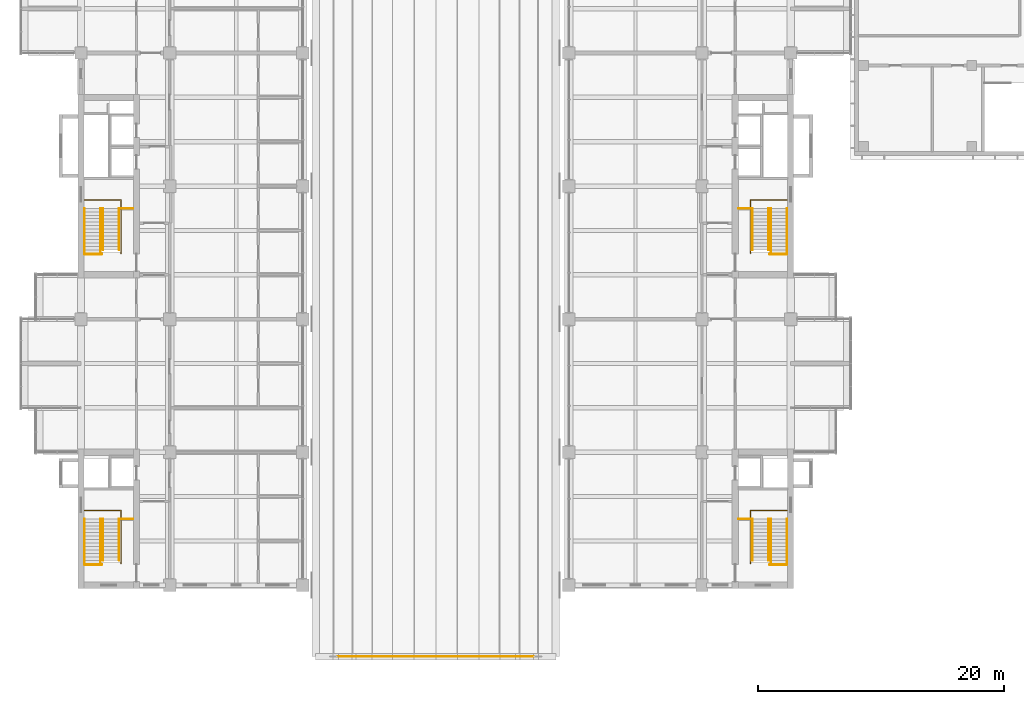
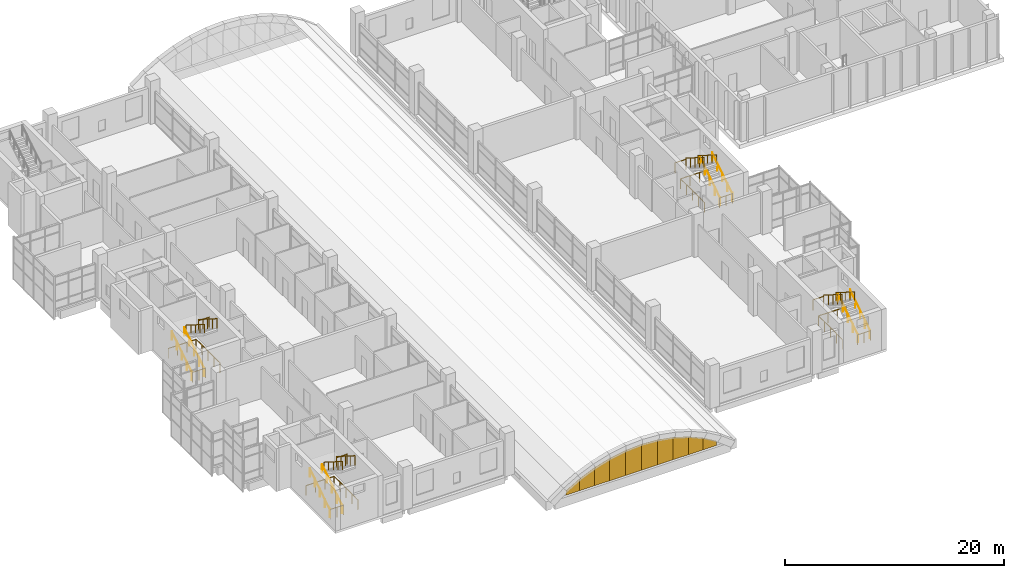
# One storey, part 40 of 45: 28 railings, 10 coverings.
"""IFC4 building model written with IfcOpenShell, lengths in metres."""

import ifcopenshell
import ifcopenshell.guid

model = None  # the IFC model being written
_history = None  # IfcOwnerHistory: only IFC2X3 demands one
_inside = {}  # id of a spatial element -> (the spatial element, [elements in it])
_under = {}  # id of a project, library or spatial element -> (it, [spatial elements below it])
_declared = {}  # id of a project -> (the project, [libraries it declares])
_typed = {}  # id of a type object -> (the type object, [elements of that type])
_made_of = {}  # id of a material, layer set ... -> (it, [elements and type objects made of it])


def new_model(schema):
    """Start an empty IFC model of exactly this schema.

    Asked for "IFC4X3", IfcOpenShell would pick the latest addendum, in which some entities
    have other attributes; the version numbers below select the first issue.
    IFC2X3 requires an IfcOwnerHistory on every rooted entity: one is made here for all.
    """
    global model, _history
    if schema == "IFC4X3":
        model = ifcopenshell.file(schema_version=(4, 3, 0, 0))
    else:
        model = ifcopenshell.file(schema=schema)
    _inside.clear()
    _under.clear()
    _declared.clear()
    _typed.clear()
    _made_of.clear()
    _history = None
    if model.schema == "IFC2X3":
        org = make("IfcOrganization", Name="unknown")
        user = make(
            "IfcPersonAndOrganization",
            ThePerson=make("IfcPerson", FamilyName="unknown"),
            TheOrganization=org,
        )
        app = make(
            "IfcApplication",
            ApplicationDeveloper=org,
            Version="unknown",
            ApplicationFullName="unknown",
            ApplicationIdentifier="unknown",
        )
        _history = make(
            "IfcOwnerHistory",
            OwningUser=user,
            OwningApplication=app,
            ChangeAction="ADDED",
            CreationDate=0,
        )
    return model


def make(cls, **values):
    """One entity of the class cls with the attributes given. An attribute that is None is left unset."""
    return model.create_entity(
        cls, **{name: value for name, value in values.items() if value is not None}
    )


def rooted(cls, **values):
    """An entity with a GlobalId (a new one), such as an element, a storey or a relation."""
    return make(cls, GlobalId=ifcopenshell.guid.new(), OwnerHistory=_history, **values)


def si_unit(unit_type, name, prefix=None):
    """IfcSIUnit, for example si_unit("LENGTHUNIT", "METRE", prefix="MILLI")."""
    return make("IfcSIUnit", UnitType=unit_type, Prefix=prefix, Name=name)


def assignment(units):
    """IfcUnitAssignment: the units of a project."""
    return None if units is None else make("IfcUnitAssignment", Units=units)


def point(xyz):
    """IfcCartesianPoint."""
    return None if xyz is None else make("IfcCartesianPoint", Coordinates=xyz)


def direction(xyz):
    """IfcDirection."""
    return None if xyz is None else make("IfcDirection", DirectionRatios=xyz)


def frame(location, z_axis=None, x_axis=None):
    """IfcAxis2Placement3D, a coordinate frame: its origin and axes. An axis left out is left unset."""
    return make(
        "IfcAxis2Placement3D",
        Location=point(location),
        Axis=direction(z_axis),
        RefDirection=direction(x_axis),
    )


def frame_2d(location, x_axis=None):
    """IfcAxis2Placement2D, a coordinate frame in the plane: its origin and x axis."""
    return make(
        "IfcAxis2Placement2D", Location=point(location), RefDirection=direction(x_axis)
    )


def origin():
    """The frame at (0, 0, 0) with its axes left unset."""
    return frame((0.0, 0.0, 0.0))


def origin_2d():
    """The frame at (0, 0) in the plane with its x axis left unset."""
    return frame_2d((0.0, 0.0))


def place(relative_to, where):
    """IfcLocalPlacement: puts the frame where relative to a parent placement (None: the world)."""
    return make(
        "IfcLocalPlacement", PlacementRelTo=relative_to, RelativePlacement=where
    )


def context(
    kind, dimensions, precision=None, world=None, true_north=None, identifier=None
):
    """IfcGeometricRepresentationContext, for example the 3D "Model" context."""
    return make(
        "IfcGeometricRepresentationContext",
        ContextIdentifier=identifier,
        ContextType=kind,
        CoordinateSpaceDimension=dimensions,
        Precision=precision,
        WorldCoordinateSystem=world,
        TrueNorth=true_north,
    )


def subcontext(parent, identifier, kind, view, scale=None):
    """IfcGeometricRepresentationSubContext, for example "Body" below "Model"."""
    return make(
        "IfcGeometricRepresentationSubContext",
        ContextIdentifier=identifier,
        ContextType=kind,
        ParentContext=parent,
        TargetScale=scale,
        TargetView=view,
    )


def project(units=None, contexts=None):
    """IfcProject with its units and contexts."""
    return rooted(
        "IfcProject",
        Name="project",
        RepresentationContexts=contexts,
        UnitsInContext=assignment(units),
    )


def spatial(cls, under=None, at=None, **own):
    """A site, building, storey or space (cls), placed at a placement, below another one or the project."""
    s = rooted(cls, ObjectPlacement=at, **own)
    if under is not None:
        _under.setdefault(under.id(), (under, []))[1].append(s)
    return s


def polyline(points):
    """IfcPolyline through the points."""
    return make("IfcPolyline", Points=[point(p) for p in points])


def profile(cls, at=None, kind="AREA", **sizes):
    """A parametric profile (cls). Its sizes go by their IFC names, for example OverallWidth=200.0."""
    return make(cls, ProfileType=kind, Position=at, **sizes)


def circle(**sizes):
    """IfcCircleProfileDef."""
    return profile("IfcCircleProfileDef", **sizes)


def outline(outer, holes=None, kind="AREA"):
    """IfcArbitraryClosedProfileDef: a profile drawn as a closed curve; with holes, ...WithVoids."""
    if holes is None:
        return make("IfcArbitraryClosedProfileDef", ProfileType=kind, OuterCurve=outer)
    return make(
        "IfcArbitraryProfileDefWithVoids",
        ProfileType=kind,
        OuterCurve=outer,
        InnerCurves=holes,
    )


def extrude(swept, where, along, depth):
    """IfcExtrudedAreaSolid: the profile swept, set in the frame where, extruded along a direction by depth."""
    return make(
        "IfcExtrudedAreaSolid",
        SweptArea=swept,
        Position=where,
        ExtrudedDirection=direction(along),
        Depth=depth,
    )


def shape(context_of_items, identifier, shape_type, items):
    """IfcShapeRepresentation: the items that make up one representation, for example the "Body"."""
    return make(
        "IfcShapeRepresentation",
        ContextOfItems=context_of_items,
        RepresentationIdentifier=identifier,
        RepresentationType=shape_type,
        Items=items,
    )


def material(Name=None, Category=None):
    """IfcMaterial."""
    return make("IfcMaterial", Name=Name, Category=Category)


def layer(
    of_material, thickness, ventilated=None, Name=None, Category=None, Priority=None
):
    """IfcMaterialLayer: one layer of a wall or slab, of a material (None: an air gap)."""
    return make(
        "IfcMaterialLayer",
        Material=of_material,
        LayerThickness=thickness,
        IsVentilated=ventilated,
        Name=Name,
        Category=Category,
        Priority=Priority,
    )


def layer_set(layers, Name=None):
    """IfcMaterialLayerSet."""
    return make("IfcMaterialLayerSet", MaterialLayers=layers, LayerSetName=Name)


def made_of(thing, what):
    """Note that an element or type object is made of a material, layer set ...; save() writes the relation."""
    if what is not None:
        _made_of.setdefault(what.id(), (what, []))[1].append(thing)
    return thing


def type_object(cls, material=None, **own):
    """A type object (cls), such as IfcWallType, which elements share."""
    return made_of(rooted(cls, **own), material)


def element(
    cls,
    number,
    at=None,
    inside=None,
    cuts=None,
    type_object=None,
    material=None,
    context=None,
    identifier="Body",
    shape_type=None,
    held_by="IfcProductDefinitionShape",
    body=None,
    shapes=None,
    **own,
):
    """One element of the class cls, such as IfcWall. Its Tag is "e" and its number.

    at: its placement. inside: the storey or other place that contains it. cuts: it is an
    opening in that element (IfcRelVoidsElement). A single representation is given by context,
    identifier, shape_type and body (its items); several are given by shapes. held_by: the class
    of the entity that holds the representations. save() writes the other relations.
    """
    e = rooted(cls, Tag="e%d" % number, ObjectPlacement=at, **own)
    if body is not None:
        shapes = [shape(context, identifier, shape_type, body)]
    if shapes is not None:
        e.Representation = make(held_by, Representations=shapes)
    if inside is not None:
        _inside.setdefault(inside.id(), (inside, []))[1].append(e)
    if cuts is not None:
        rooted(
            "IfcRelVoidsElement", RelatingBuildingElement=cuts, RelatedOpeningElement=e
        )
    if type_object is not None:
        _typed.setdefault(type_object.id(), (type_object, []))[1].append(e)
    return made_of(e, material)


def aggregate(whole, parts):
    """IfcRelAggregates: a whole, such as a stair, and the parts it consists of."""
    return rooted("IfcRelAggregates", RelatingObject=whole, RelatedObjects=parts)


def save(model, path):
    """Write the relations noted so far, then the file.

    IfcRelAggregates (storeys below a building ...), IfcRelContainedInSpatialStructure (elements
    in a storey), IfcRelDefinesByType, IfcRelAssociatesMaterial and IfcRelDeclares: one each for
    every whole, place, type object, material and project.
    """
    for whole, parts in _under.values():
        aggregate(whole, parts)
    for where, things in _inside.values():
        rooted(
            "IfcRelContainedInSpatialStructure",
            RelatedElements=things,
            RelatingStructure=where,
        )
    for kind, things in _typed.values():
        rooted("IfcRelDefinesByType", RelatedObjects=things, RelatingType=kind)
    for what, things in _made_of.values():
        rooted("IfcRelAssociatesMaterial", RelatedObjects=things, RelatingMaterial=what)
    for by, libraries in _declared.values():
        rooted("IfcRelDeclares", RelatingContext=by, RelatedDefinitions=libraries)
    model.write(path)


model = new_model("IFC4")

# Units and contexts
model_context = context("Model", 3, precision=1e-05, world=origin(), true_north=direction((0.0, 1.0)))
body_context = subcontext(model_context, "Body", "Model", "MODEL_VIEW")
ifc_project = project(units=[si_unit("LENGTHUNIT", "METRE"), si_unit("AREAUNIT", "SQUARE_METRE"), si_unit("VOLUMEUNIT", "CUBIC_METRE"), si_unit("PLANEANGLEUNIT", "RADIAN"), si_unit("MASSUNIT", "GRAM", prefix="KILO")], contexts=[model_context])

# Site, building, storey
site_placement = place(None, origin())
site = spatial("IfcSite", under=ifc_project, at=site_placement, CompositionType="ELEMENT")
building_placement = place(site_placement, origin())
building = spatial("IfcBuilding", under=site, at=building_placement, Name="Basin Gate Institute", CompositionType="ELEMENT")
storey_placement = place(building_placement, frame((0.0, 0.0, 22.199951171875)))
storey = spatial("IfcBuildingStorey", under=building, at=storey_placement, Name="L04", CompositionType="ELEMENT", Elevation=22.199951171875)

# Coverings
ifc_material_1 = material(Name="Laminated toughened glass", Category="glass")
ifc_layer = layer(ifc_material_1, 0.030029296875)
ifc_layer_set = layer_set([ifc_layer], Name="Atrium tympanum glazing PN88")
covering_type = type_object("IfcCoveringType", Name="Atrium tympanum glazing PN88", PredefinedType="ROOFING", material=ifc_layer_set)
covering_1_placement = place(storey_placement, frame((82.048828125, 29.300048828125, 0.0), z_axis=(0.0, -1.0, 0.0), x_axis=(1.0, 0.0, 0.0)))
element("IfcCovering", 1, at=covering_1_placement, inside=storey, type_object=covering_type, material=ifc_layer_set, Name="Atrium tympanum glazing S 2", PredefinedType="ROOFING", context=body_context, shape_type="SweptSolid", body=[
    extrude(outline(polyline([(0.0, 0.0), (1.45361328125, 0.0), (1.45361328125, 1.33740234375), (0.0, 0.485107421875), (0.0, 0.0)])), origin(), (0.0, 0.0, -1.0), 0.030029296875),
])
covering_2_placement = place(storey_placement, frame((83.50244140625, 29.300048828125, 0.0), z_axis=(0.0, -1.0, 0.0), x_axis=(1.0, 0.0, 0.0)))
element("IfcCovering", 2, at=covering_2_placement, inside=storey, type_object=covering_type, material=ifc_layer_set, Name="Atrium tympanum glazing S 3", PredefinedType="ROOFING", context=body_context, shape_type="SweptSolid", body=[
    extrude(outline(polyline([(0.0, 0.0), (1.54345703125, 0.0), (1.54345703125, 2.01318359375), (0.0, 1.33740234375), (0.0, 0.0)])), origin(), (0.0, 0.0, -1.0), 0.030029296875),
])
covering_3_placement = place(storey_placement, frame((85.0458984375, 29.300048828125, 0.0), z_axis=(0.0, -1.0, 0.0), x_axis=(1.0, 0.0, 0.0)))
element("IfcCovering", 3, at=covering_3_placement, inside=storey, type_object=covering_type, material=ifc_layer_set, Name="Atrium tympanum glazing S 4", PredefinedType="ROOFING", context=body_context, shape_type="SweptSolid", body=[
    extrude(outline(polyline([(0.0, 0.0), (1.613037109375, 0.0), (1.613037109375, 2.503173828125), (0.0, 2.01318359375), (0.0, 0.0)])), origin(), (0.0, 0.0, -1.0), 0.030029296875),
])
covering_4_placement = place(storey_placement, frame((86.658935546875, 29.300048828125, 0.0), z_axis=(0.0, -1.0, 0.0), x_axis=(1.0, 0.0, 0.0)))
element("IfcCovering", 4, at=covering_4_placement, inside=storey, type_object=covering_type, material=ifc_layer_set, Name="Atrium tympanum glazing S 5", PredefinedType="ROOFING", context=body_context, shape_type="SweptSolid", body=[
    extrude(outline(polyline([(0.0, 0.0), (1.658447265625, 0.0), (1.658447265625, 2.7998046875), (0.0, 2.503173828125), (0.0, 0.0)])), origin(), (0.0, 0.0, -1.0), 0.030029296875),
])
covering_5_placement = place(storey_placement, frame((88.3173828125, 29.300048828125, 0.0), z_axis=(0.0, -1.0, 0.0), x_axis=(1.0, 0.0, 0.0)))
element("IfcCovering", 5, at=covering_5_placement, inside=storey, type_object=covering_type, material=ifc_layer_set, Name="Atrium tympanum glazing S 6", PredefinedType="ROOFING", context=body_context, shape_type="SweptSolid", body=[
    extrude(outline(polyline([(0.0, 0.0), (1.6826171875, 0.0), (1.6826171875, 2.89892578125), (0.0, 2.7998046875), (0.0, 0.0)])), origin(), (0.0, 0.0, -1.0), 0.030029296875),
])
covering_6_placement = place(storey_placement, frame((90.0, 29.300048828125, 0.0), z_axis=(0.0, -1.0, 0.0), x_axis=(1.0, 0.0, 0.0)))
element("IfcCovering", 6, at=covering_6_placement, inside=storey, type_object=covering_type, material=ifc_layer_set, Name="Atrium tympanum glazing S 7", PredefinedType="ROOFING", context=body_context, shape_type="SweptSolid", body=[
    extrude(outline(polyline([(0.0, 0.0), (1.6826171875, 0.0), (1.6826171875, 2.7998046875), (0.0, 2.89892578125), (0.0, 0.0)])), origin(), (0.0, 0.0, -1.0), 0.030029296875),
])
covering_7_placement = place(storey_placement, frame((91.6826171875, 29.300048828125, 0.0), z_axis=(0.0, -1.0, 0.0), x_axis=(1.0, 0.0, 0.0)))
element("IfcCovering", 7, at=covering_7_placement, inside=storey, type_object=covering_type, material=ifc_layer_set, Name="Atrium tympanum glazing S 8", PredefinedType="ROOFING", context=body_context, shape_type="SweptSolid", body=[
    extrude(outline(polyline([(0.0, 0.0), (1.658447265625, 0.0), (1.658447265625, 2.503173828125), (0.0, 2.7998046875), (0.0, 0.0)])), origin(), (0.0, 0.0, -1.0), 0.030029296875),
])
covering_8_placement = place(storey_placement, frame((93.341064453125, 29.300048828125, 0.0), z_axis=(0.0, -1.0, 0.0), x_axis=(1.0, 0.0, 0.0)))
element("IfcCovering", 8, at=covering_8_placement, inside=storey, type_object=covering_type, material=ifc_layer_set, Name="Atrium tympanum glazing S 9", PredefinedType="ROOFING", context=body_context, shape_type="SweptSolid", body=[
    extrude(outline(polyline([(0.0, 0.0), (1.613037109375, 0.0), (1.613037109375, 2.01318359375), (0.0, 2.503173828125), (0.0, 0.0)])), origin(), (0.0, 0.0, -1.0), 0.030029296875),
])
covering_9_placement = place(storey_placement, frame((94.9541015625, 29.300048828125, 0.0), z_axis=(0.0, -1.0, 0.0), x_axis=(1.0, 0.0, 0.0)))
element("IfcCovering", 9, at=covering_9_placement, inside=storey, type_object=covering_type, material=ifc_layer_set, Name="Atrium tympanum glazing S 10", PredefinedType="ROOFING", context=body_context, shape_type="SweptSolid", body=[
    extrude(outline(polyline([(0.0, 0.0), (1.54345703125, 0.0), (1.54345703125, 1.33740234375), (0.0, 2.01318359375), (0.0, 0.0)])), origin(), (0.0, 0.0, -1.0), 0.030029296875),
])
covering_10_placement = place(storey_placement, frame((96.49755859375, 29.300048828125, 0.0), z_axis=(0.0, -1.0, 0.0), x_axis=(1.0, 0.0, 0.0)))
element("IfcCovering", 10, at=covering_10_placement, inside=storey, type_object=covering_type, material=ifc_layer_set, Name="Atrium tympanum glazing S 11", PredefinedType="ROOFING", context=body_context, shape_type="SweptSolid", body=[
    extrude(outline(polyline([(0.0, 0.0), (1.45361328125, 0.0), (1.45361328125, 0.485107421875), (0.0, 1.33740234375), (0.0, 0.0)])), origin(), (0.0, 0.0, -1.0), 0.030029296875),
])

# Railings
ifc_material_2 = material(Name="Stainless steel", Category="steel")
railing_type_1 = type_object("IfcRailingType", Name="Stair guard GR1", PredefinedType="GUARDRAIL", material=ifc_material_2)
railing_1_placement = place(storey_placement, frame((64.449951171875, 36.85009765625, 0.0)))
element("IfcRailing", 11, at=railing_1_placement, inside=storey, type_object=railing_type_1, material=ifc_material_2, Name="Stair guard GR1 WS GD3-L03", PredefinedType="GUARDRAIL", context=body_context, shape_type="SweptSolid", body=[
    extrude(circle(Radius=0.02392578125, at=origin_2d()), frame((0.0, 0.0, 1.076171875), z_axis=(0.0, 1.0, 0.0), x_axis=(-1.0, 0.0, 0.0)), (0.0, 0.0, 1.0), 4.31982421875),
    extrude(circle(Radius=0.02392578125, at=origin_2d()), frame((0.0, 4.31982421875, 1.076171875), z_axis=(-1.0, 0.0, 0.0), x_axis=(0.0, -1.0, 0.0)), (0.0, 0.0, 1.0), 2.949951171875),
    extrude(circle(Radius=0.02099609375, at=origin_2d()), origin(), (0.0, 0.0, 1.0), 1.052001953125),
    extrude(circle(Radius=0.02099609375, at=origin_2d()), frame((0.0, 1.080078125, 0.0)), (0.0, 0.0, 1.0), 1.052001953125),
    extrude(circle(Radius=0.02099609375, at=origin_2d()), frame((0.0, 2.159912109375, 0.0)), (0.0, 0.0, 1.0), 1.052001953125),
    extrude(circle(Radius=0.02099609375, at=origin_2d()), frame((0.0, 3.23974609375, 0.0)), (0.0, 0.0, 1.0), 1.052001953125),
    extrude(circle(Radius=0.02099609375, at=origin_2d()), frame((0.0, 4.31982421875, 0.0)), (0.0, 0.0, 1.0), 1.052001953125),
    extrude(circle(Radius=0.02099609375, at=origin_2d()), frame((-0.9833984375, 4.31982421875, 0.0)), (0.0, 0.0, 1.0), 1.052001953125),
    extrude(circle(Radius=0.02099609375, at=origin_2d()), frame((-1.966552734375, 4.31982421875, 0.0)), (0.0, 0.0, 1.0), 1.052001953125),
    extrude(circle(Radius=0.02099609375, at=origin_2d()), frame((-2.949951171875, 4.31982421875, 0.0)), (0.0, 0.0, 1.0), 1.052001953125),
])
railing_2_placement = place(storey_placement, frame((61.5, 36.77001953125, 0.0)))
element("IfcRailing", 12, at=railing_2_placement, inside=storey, type_object=railing_type_1, material=ifc_material_2, Name="Stair guard GR1 WS GD4-L03", PredefinedType="GUARDRAIL", context=body_context, shape_type="SweptSolid", body=[
    extrude(circle(Radius=0.02392578125, at=origin_2d()), frame((0.0, 0.0, 1.076171875), z_axis=(1.0, 0.0, 0.0), x_axis=(0.0, 1.0, 0.0)), (0.0, 0.0, 1.0), 1.39990234375),
    extrude(circle(Radius=0.02099609375, at=origin_2d()), origin(), (0.0, 0.0, 1.0), 1.052001953125),
    extrude(circle(Radius=0.02099609375, at=origin_2d()), frame((0.699951171875, 0.0, 0.0)), (0.0, 0.0, 1.0), 1.052001953125),
    extrude(circle(Radius=0.02099609375, at=origin_2d()), frame((1.39990234375, 0.0, 0.0)), (0.0, 0.0, 1.0), 1.052001953125),
])
railing_3_placement = place(storey_placement, frame((64.449951171875, 62.050048828125, 0.0)))
element("IfcRailing", 13, at=railing_3_placement, inside=storey, type_object=railing_type_1, material=ifc_material_2, Name="Stair guard GR1 WM GD3-L03", PredefinedType="GUARDRAIL", context=body_context, shape_type="SweptSolid", body=[
    extrude(circle(Radius=0.02392578125, at=origin_2d()), frame((0.0, 0.0, 1.076171875), z_axis=(0.0, 1.0, 0.0), x_axis=(-1.0, 0.0, 0.0)), (0.0, 0.0, 1.0), 4.320068359375),
    extrude(circle(Radius=0.02392578125, at=origin_2d()), frame((0.0, 4.320068359375, 1.076171875), z_axis=(-1.0, 0.0, 0.0), x_axis=(0.0, -1.0, 0.0)), (0.0, 0.0, 1.0), 2.949951171875),
    extrude(circle(Radius=0.02099609375, at=origin_2d()), origin(), (0.0, 0.0, 1.0), 1.052001953125),
    extrude(circle(Radius=0.02099609375, at=origin_2d()), frame((0.0, 1.080078125, 0.0)), (0.0, 0.0, 1.0), 1.052001953125),
    extrude(circle(Radius=0.02099609375, at=origin_2d()), frame((0.0, 2.16015625, 0.0)), (0.0, 0.0, 1.0), 1.052001953125),
    extrude(circle(Radius=0.02099609375, at=origin_2d()), frame((0.0, 3.239990234375, 0.0)), (0.0, 0.0, 1.0), 1.052001953125),
    extrude(circle(Radius=0.02099609375, at=origin_2d()), frame((0.0, 4.320068359375, 0.0)), (0.0, 0.0, 1.0), 1.052001953125),
    extrude(circle(Radius=0.02099609375, at=origin_2d()), frame((-0.9833984375, 4.320068359375, 0.0)), (0.0, 0.0, 1.0), 1.052001953125),
    extrude(circle(Radius=0.02099609375, at=origin_2d()), frame((-1.966552734375, 4.320068359375, 0.0)), (0.0, 0.0, 1.0), 1.052001953125),
    extrude(circle(Radius=0.02099609375, at=origin_2d()), frame((-2.949951171875, 4.320068359375, 0.0)), (0.0, 0.0, 1.0), 1.052001953125),
])
railing_4_placement = place(storey_placement, frame((61.5, 61.969970703125, 0.0)))
element("IfcRailing", 14, at=railing_4_placement, inside=storey, type_object=railing_type_1, material=ifc_material_2, Name="Stair guard GR1 WM GD4-L03", PredefinedType="GUARDRAIL", context=body_context, shape_type="SweptSolid", body=[
    extrude(circle(Radius=0.02392578125, at=origin_2d()), frame((0.0, 0.0, 1.076171875), z_axis=(1.0, 0.0, 0.0), x_axis=(0.0, 1.0, 0.0)), (0.0, 0.0, 1.0), 1.39990234375),
    extrude(circle(Radius=0.02099609375, at=origin_2d()), origin(), (0.0, 0.0, 1.0), 1.052001953125),
    extrude(circle(Radius=0.02099609375, at=origin_2d()), frame((0.699951171875, 0.0, 0.0)), (0.0, 0.0, 1.0), 1.052001953125),
    extrude(circle(Radius=0.02099609375, at=origin_2d()), frame((1.39990234375, 0.0, 0.0)), (0.0, 0.0, 1.0), 1.052001953125),
])
railing_5_placement = place(storey_placement, frame((115.550048828125, 36.85009765625, 0.0)))
element("IfcRailing", 15, at=railing_5_placement, inside=storey, type_object=railing_type_1, material=ifc_material_2, Name="Stair guard GR1 ES GD3-L03", PredefinedType="GUARDRAIL", context=body_context, shape_type="SweptSolid", body=[
    extrude(circle(Radius=0.02392578125, at=origin_2d()), frame((0.0, 0.0, 1.076171875), z_axis=(0.0, 1.0, 0.0), x_axis=(-1.0, 0.0, 0.0)), (0.0, 0.0, 1.0), 4.31982421875),
    extrude(circle(Radius=0.02392578125, at=origin_2d()), frame((0.0, 4.31982421875, 1.076171875), z_axis=(1.0, 0.0, 0.0), x_axis=(0.0, 1.0, 0.0)), (0.0, 0.0, 1.0), 2.949951171875),
    extrude(circle(Radius=0.02099609375, at=origin_2d()), origin(), (0.0, 0.0, 1.0), 1.052001953125),
    extrude(circle(Radius=0.02099609375, at=origin_2d()), frame((0.0, 1.080078125, 0.0)), (0.0, 0.0, 1.0), 1.052001953125),
    extrude(circle(Radius=0.02099609375, at=origin_2d()), frame((0.0, 2.159912109375, 0.0)), (0.0, 0.0, 1.0), 1.052001953125),
    extrude(circle(Radius=0.02099609375, at=origin_2d()), frame((0.0, 3.23974609375, 0.0)), (0.0, 0.0, 1.0), 1.052001953125),
    extrude(circle(Radius=0.02099609375, at=origin_2d()), frame((0.0, 4.31982421875, 0.0)), (0.0, 0.0, 1.0), 1.052001953125),
    extrude(circle(Radius=0.02099609375, at=origin_2d()), frame((0.9833984375, 4.31982421875, 0.0)), (0.0, 0.0, 1.0), 1.052001953125),
    extrude(circle(Radius=0.02099609375, at=origin_2d()), frame((1.966552734375, 4.31982421875, 0.0)), (0.0, 0.0, 1.0), 1.052001953125),
    extrude(circle(Radius=0.02099609375, at=origin_2d()), frame((2.949951171875, 4.31982421875, 0.0)), (0.0, 0.0, 1.0), 1.052001953125),
])
railing_6_placement = place(storey_placement, frame((118.5, 36.77001953125, 0.0)))
element("IfcRailing", 16, at=railing_6_placement, inside=storey, type_object=railing_type_1, material=ifc_material_2, Name="Stair guard GR1 ES GD4-L03", PredefinedType="GUARDRAIL", context=body_context, shape_type="SweptSolid", body=[
    extrude(circle(Radius=0.02392578125, at=origin_2d()), frame((0.0, 0.0, 1.076171875), z_axis=(-1.0, 0.0, 0.0), x_axis=(0.0, -1.0, 0.0)), (0.0, 0.0, 1.0), 1.39990234375),
    extrude(circle(Radius=0.02099609375, at=origin_2d()), origin(), (0.0, 0.0, 1.0), 1.052001953125),
    extrude(circle(Radius=0.02099609375, at=origin_2d()), frame((-0.699951171875, 0.0, 0.0)), (0.0, 0.0, 1.0), 1.052001953125),
    extrude(circle(Radius=0.02099609375, at=origin_2d()), frame((-1.39990234375, 0.0, 0.0)), (0.0, 0.0, 1.0), 1.052001953125),
])
railing_7_placement = place(storey_placement, frame((115.550048828125, 62.050048828125, 0.0)))
element("IfcRailing", 17, at=railing_7_placement, inside=storey, type_object=railing_type_1, material=ifc_material_2, Name="Stair guard GR1 EM GD3-L03", PredefinedType="GUARDRAIL", context=body_context, shape_type="SweptSolid", body=[
    extrude(circle(Radius=0.02392578125, at=origin_2d()), frame((0.0, 0.0, 1.076171875), z_axis=(0.0, 1.0, 0.0), x_axis=(-1.0, 0.0, 0.0)), (0.0, 0.0, 1.0), 4.320068359375),
    extrude(circle(Radius=0.02392578125, at=origin_2d()), frame((0.0, 4.320068359375, 1.076171875), z_axis=(1.0, 0.0, 0.0), x_axis=(0.0, 1.0, 0.0)), (0.0, 0.0, 1.0), 2.949951171875),
    extrude(circle(Radius=0.02099609375, at=origin_2d()), origin(), (0.0, 0.0, 1.0), 1.052001953125),
    extrude(circle(Radius=0.02099609375, at=origin_2d()), frame((0.0, 1.080078125, 0.0)), (0.0, 0.0, 1.0), 1.052001953125),
    extrude(circle(Radius=0.02099609375, at=origin_2d()), frame((0.0, 2.16015625, 0.0)), (0.0, 0.0, 1.0), 1.052001953125),
    extrude(circle(Radius=0.02099609375, at=origin_2d()), frame((0.0, 3.239990234375, 0.0)), (0.0, 0.0, 1.0), 1.052001953125),
    extrude(circle(Radius=0.02099609375, at=origin_2d()), frame((0.0, 4.320068359375, 0.0)), (0.0, 0.0, 1.0), 1.052001953125),
    extrude(circle(Radius=0.02099609375, at=origin_2d()), frame((0.9833984375, 4.320068359375, 0.0)), (0.0, 0.0, 1.0), 1.052001953125),
    extrude(circle(Radius=0.02099609375, at=origin_2d()), frame((1.966552734375, 4.320068359375, 0.0)), (0.0, 0.0, 1.0), 1.052001953125),
    extrude(circle(Radius=0.02099609375, at=origin_2d()), frame((2.949951171875, 4.320068359375, 0.0)), (0.0, 0.0, 1.0), 1.052001953125),
])
railing_8_placement = place(storey_placement, frame((118.5, 61.969970703125, 0.0)))
element("IfcRailing", 18, at=railing_8_placement, inside=storey, type_object=railing_type_1, material=ifc_material_2, Name="Stair guard GR1 EM GD4-L03", PredefinedType="GUARDRAIL", context=body_context, shape_type="SweptSolid", body=[
    extrude(circle(Radius=0.02392578125, at=origin_2d()), frame((0.0, 0.0, 1.076171875), z_axis=(-1.0, 0.0, 0.0), x_axis=(0.0, -1.0, 0.0)), (0.0, 0.0, 1.0), 1.39990234375),
    extrude(circle(Radius=0.02099609375, at=origin_2d()), origin(), (0.0, 0.0, 1.0), 1.052001953125),
    extrude(circle(Radius=0.02099609375, at=origin_2d()), frame((-0.699951171875, 0.0, 0.0)), (0.0, 0.0, 1.0), 1.052001953125),
    extrude(circle(Radius=0.02099609375, at=origin_2d()), frame((-1.39990234375, 0.0, 0.0)), (0.0, 0.0, 1.0), 1.052001953125),
])
railing_9_placement = place(storey_placement, frame((64.300048828125, 40.489990234375, 2.666748046875)))
element("IfcRailing", 19, at=railing_9_placement, inside=storey, type_object=railing_type_1, material=ifc_material_2, Name="Stair guard GR1 WS GD1", PredefinedType="GUARDRAIL", context=body_context, shape_type="SweptSolid", body=[
    extrude(circle(Radius=0.02392578125, at=origin_2d()), frame((0.0, 0.0, 1.076171875), z_axis=(0.0, -0.844224270207, 0.535990094679), x_axis=(1.0, 0.0, 0.0)), (0.0, 0.0, 1.0), 3.980224609375),
    extrude(circle(Radius=0.02099609375, at=origin_2d()), origin(), (0.0, 0.0, 1.0), 1.052001953125),
    extrude(circle(Radius=0.02099609375, at=origin_2d()), frame((0.0, -0.840087890625, 0.533203125)), (0.0, 0.0, 1.0), 1.052001953125),
    extrude(circle(Radius=0.02099609375, at=origin_2d()), frame((0.0, -1.68017578125, 1.066650390625)), (0.0, 0.0, 1.0), 1.052001953125),
    extrude(circle(Radius=0.02099609375, at=origin_2d()), frame((0.0, -2.52001953125, 1.60009765625)), (0.0, 0.0, 1.0), 1.052001953125),
    extrude(circle(Radius=0.02099609375, at=origin_2d()), frame((0.0, -3.360107421875, 2.13330078125)), (0.0, 0.0, 1.0), 1.052001953125),
])
railing_10_placement = place(storey_placement, frame((64.300048828125, 65.68994140625, 2.666748046875)))
element("IfcRailing", 20, at=railing_10_placement, inside=storey, type_object=railing_type_1, material=ifc_material_2, Name="Stair guard GR1 WM GD1", PredefinedType="GUARDRAIL", context=body_context, shape_type="SweptSolid", body=[
    extrude(circle(Radius=0.02392578125, at=origin_2d()), frame((0.0, 0.0, 1.076171875), z_axis=(0.0, -0.844206646714, 0.536017851983), x_axis=(1.0, 0.0, 0.0)), (0.0, 0.0, 1.0), 3.97998046875),
    extrude(circle(Radius=0.02099609375, at=origin_2d()), origin(), (0.0, 0.0, 1.0), 1.052001953125),
    extrude(circle(Radius=0.02099609375, at=origin_2d()), frame((0.0, -0.83984375, 0.533203125)), (0.0, 0.0, 1.0), 1.052001953125),
    extrude(circle(Radius=0.02099609375, at=origin_2d()), frame((0.0, -1.679931640625, 1.066650390625)), (0.0, 0.0, 1.0), 1.052001953125),
    extrude(circle(Radius=0.02099609375, at=origin_2d()), frame((0.0, -2.52001953125, 1.60009765625)), (0.0, 0.0, 1.0), 1.052001953125),
    extrude(circle(Radius=0.02099609375, at=origin_2d()), frame((0.0, -3.35986328125, 2.13330078125)), (0.0, 0.0, 1.0), 1.052001953125),
])
railing_11_placement = place(storey_placement, frame((115.699951171875, 40.489990234375, 2.666748046875)))
element("IfcRailing", 21, at=railing_11_placement, inside=storey, type_object=railing_type_1, material=ifc_material_2, Name="Stair guard GR1 ES GD1", PredefinedType="GUARDRAIL", context=body_context, shape_type="SweptSolid", body=[
    extrude(circle(Radius=0.02392578125, at=origin_2d()), frame((0.0, 0.0, 1.076171875), z_axis=(0.0, -0.844224270207, 0.535990094679), x_axis=(1.0, 0.0, 0.0)), (0.0, 0.0, 1.0), 3.980224609375),
    extrude(circle(Radius=0.02099609375, at=origin_2d()), origin(), (0.0, 0.0, 1.0), 1.052001953125),
    extrude(circle(Radius=0.02099609375, at=origin_2d()), frame((0.0, -0.840087890625, 0.533203125)), (0.0, 0.0, 1.0), 1.052001953125),
    extrude(circle(Radius=0.02099609375, at=origin_2d()), frame((0.0, -1.68017578125, 1.066650390625)), (0.0, 0.0, 1.0), 1.052001953125),
    extrude(circle(Radius=0.02099609375, at=origin_2d()), frame((0.0, -2.52001953125, 1.60009765625)), (0.0, 0.0, 1.0), 1.052001953125),
    extrude(circle(Radius=0.02099609375, at=origin_2d()), frame((0.0, -3.360107421875, 2.13330078125)), (0.0, 0.0, 1.0), 1.052001953125),
])
railing_12_placement = place(storey_placement, frame((115.699951171875, 65.68994140625, 2.666748046875)))
element("IfcRailing", 22, at=railing_12_placement, inside=storey, type_object=railing_type_1, material=ifc_material_2, Name="Stair guard GR1 EM GD1", PredefinedType="GUARDRAIL", context=body_context, shape_type="SweptSolid", body=[
    extrude(circle(Radius=0.02392578125, at=origin_2d()), frame((0.0, 0.0, 1.076171875), z_axis=(0.0, -0.844206646714, 0.536017851983), x_axis=(1.0, 0.0, 0.0)), (0.0, 0.0, 1.0), 3.97998046875),
    extrude(circle(Radius=0.02099609375, at=origin_2d()), origin(), (0.0, 0.0, 1.0), 1.052001953125),
    extrude(circle(Radius=0.02099609375, at=origin_2d()), frame((0.0, -0.83984375, 0.533203125)), (0.0, 0.0, 1.0), 1.052001953125),
    extrude(circle(Radius=0.02099609375, at=origin_2d()), frame((0.0, -1.679931640625, 1.066650390625)), (0.0, 0.0, 1.0), 1.052001953125),
    extrude(circle(Radius=0.02099609375, at=origin_2d()), frame((0.0, -2.52001953125, 1.60009765625)), (0.0, 0.0, 1.0), 1.052001953125),
    extrude(circle(Radius=0.02099609375, at=origin_2d()), frame((0.0, -3.35986328125, 2.13330078125)), (0.0, 0.0, 1.0), 1.052001953125),
])
ifc_material_3 = material(Name="Stainless steel", Category="steel")
railing_type_2 = type_object("IfcRailingType", Name="Stair guard GR3", PredefinedType="GUARDRAIL", material=ifc_material_3)
for number, where, name in (
    (23, (64.300048828125, 40.489990234375, 2.489013671875), "Stair guard GR3 WS GD2"),
    (24, (64.300048828125, 65.68994140625, 2.489013671875), "Stair guard GR3 WM GD2"),
):
    element("IfcRailing", number, at=place(storey_placement, frame(where)), inside=storey, type_object=railing_type_2, material=ifc_material_3, Name=name, PredefinedType="GUARDRAIL", context=body_context, shape_type="SweptSolid", body=[
        extrude(circle(Radius=0.02392578125, at=origin_2d()), frame((0.0, 0.0, 1.1259765625), z_axis=(1.0, 0.0, 0.0), x_axis=(0.0, 1.0, 0.0)), (0.0, 0.0, 1.0), 1.119873046875),
        extrude(circle(Radius=0.02099609375, at=origin_2d()), origin(), (0.0, 0.0, 1.0), 1.101806640625),
        extrude(circle(Radius=0.02099609375, at=origin_2d()), frame((1.119873046875, 0.0, 0.0)), (0.0, 0.0, 1.0), 1.101806640625),
    ])
for number, where, name in (
    (25, (115.699951171875, 40.489990234375, 2.489013671875), "Stair guard GR3 ES GD2"),
    (26, (115.699951171875, 65.68994140625, 2.489013671875), "Stair guard GR3 EM GD2"),
):
    element("IfcRailing", number, at=place(storey_placement, frame(where)), inside=storey, type_object=railing_type_2, material=ifc_material_3, Name=name, PredefinedType="GUARDRAIL", context=body_context, shape_type="SweptSolid", body=[
        extrude(circle(Radius=0.02392578125, at=origin_2d()), frame((0.0, 0.0, 1.1259765625), z_axis=(-1.0, 0.0, 0.0), x_axis=(0.0, -1.0, 0.0)), (0.0, 0.0, 1.0), 1.119873046875),
        extrude(circle(Radius=0.02099609375, at=origin_2d()), origin(), (0.0, 0.0, 1.0), 1.101806640625),
        extrude(circle(Radius=0.02099609375, at=origin_2d()), frame((-1.119873046875, 0.0, 0.0)), (0.0, 0.0, 1.0), 1.101806640625),
    ])
ifc_material_4 = material(Name="Stainless steel", Category="steel")
railing_type_3 = type_object("IfcRailingType", Name="Stair handrail HR1", PredefinedType="HANDRAIL", material=ifc_material_4)
for number, where, name in (
    (27, (61.5, 36.85009765625, 0.177734375), "Stair handrail HR1 WS HR1"),
    (28, (62.800048828125, 36.85009765625, 0.177734375), "Stair handrail HR1 WS HR2"),
):
    element("IfcRailing", number, at=place(storey_placement, frame(where)), inside=storey, type_object=railing_type_3, material=ifc_material_4, Name=name, PredefinedType="HANDRAIL", context=body_context, shape_type="SweptSolid", body=[
        extrude(circle(Radius=0.02392578125, at=origin_2d()), frame((0.0, 0.0, 0.89599609375), z_axis=(0.0, 0.844188005686, 0.536047209727), x_axis=(-1.0, 0.0, 0.0)), (0.0, 0.0, 1.0), 4.311767578125),
        extrude(circle(Radius=0.02099609375, at=origin_2d()), origin(), (0.0, 0.0, 1.0), 0.871826171875),
        extrude(circle(Radius=0.02099609375, at=origin_2d()), frame((0.0, 0.909912109375, 0.577880859375)), (0.0, 0.0, 1.0), 0.871826171875),
        extrude(circle(Radius=0.02099609375, at=origin_2d()), frame((0.0, 1.81982421875, 1.15576171875)), (0.0, 0.0, 1.0), 0.871826171875),
        extrude(circle(Radius=0.02099609375, at=origin_2d()), frame((0.0, 2.72998046875, 1.7333984375)), (0.0, 0.0, 1.0), 0.871826171875),
        extrude(circle(Radius=0.02099609375, at=origin_2d()), frame((0.0, 3.639892578125, 2.311279296875)), (0.0, 0.0, 1.0), 0.871826171875),
    ])
railing_13_placement = place(storey_placement, frame((63.0, 40.489990234375, 2.666748046875)))
element("IfcRailing", 29, at=railing_13_placement, inside=storey, type_object=railing_type_3, material=ifc_material_4, Name="Stair handrail HR1 WS HR3", PredefinedType="HANDRAIL", context=body_context, shape_type="SweptSolid", body=[
    extrude(circle(Radius=0.02392578125, at=origin_2d()), frame((0.0, 0.0, 0.89599609375), z_axis=(0.0, -0.844224270207, 0.535990094679), x_axis=(1.0, 0.0, 0.0)), (0.0, 0.0, 1.0), 3.980224609375),
    extrude(circle(Radius=0.02099609375, at=origin_2d()), origin(), (0.0, 0.0, 1.0), 0.871826171875),
    extrude(circle(Radius=0.02099609375, at=origin_2d()), frame((0.0, -0.840087890625, 0.533203125)), (0.0, 0.0, 1.0), 0.871826171875),
    extrude(circle(Radius=0.02099609375, at=origin_2d()), frame((0.0, -1.68017578125, 1.066650390625)), (0.0, 0.0, 1.0), 0.871826171875),
    extrude(circle(Radius=0.02099609375, at=origin_2d()), frame((0.0, -2.52001953125, 1.60009765625)), (0.0, 0.0, 1.0), 0.871826171875),
    extrude(circle(Radius=0.02099609375, at=origin_2d()), frame((0.0, -3.360107421875, 2.13330078125)), (0.0, 0.0, 1.0), 0.871826171875),
])
for number, where, name in (
    (30, (61.5, 62.050048828125, 0.177734375), "Stair handrail HR1 WM HR1"),
    (31, (62.800048828125, 62.050048828125, 0.177734375), "Stair handrail HR1 WM HR2"),
):
    element("IfcRailing", number, at=place(storey_placement, frame(where)), inside=storey, type_object=railing_type_3, material=ifc_material_4, Name=name, PredefinedType="HANDRAIL", context=body_context, shape_type="SweptSolid", body=[
        extrude(circle(Radius=0.02392578125, at=origin_2d()), frame((0.0, 0.0, 0.89599609375), z_axis=(0.0, 0.844188005686, 0.536047209727), x_axis=(-1.0, 0.0, 0.0)), (0.0, 0.0, 1.0), 4.311767578125),
        extrude(circle(Radius=0.02099609375, at=origin_2d()), origin(), (0.0, 0.0, 1.0), 0.871826171875),
        extrude(circle(Radius=0.02099609375, at=origin_2d()), frame((0.0, 0.909912109375, 0.577880859375)), (0.0, 0.0, 1.0), 0.871826171875),
        extrude(circle(Radius=0.02099609375, at=origin_2d()), frame((0.0, 1.81982421875, 1.15576171875)), (0.0, 0.0, 1.0), 0.871826171875),
        extrude(circle(Radius=0.02099609375, at=origin_2d()), frame((0.0, 2.72998046875, 1.7333984375)), (0.0, 0.0, 1.0), 0.871826171875),
        extrude(circle(Radius=0.02099609375, at=origin_2d()), frame((0.0, 3.639892578125, 2.311279296875)), (0.0, 0.0, 1.0), 0.871826171875),
    ])
railing_14_placement = place(storey_placement, frame((63.0, 65.68994140625, 2.666748046875)))
element("IfcRailing", 32, at=railing_14_placement, inside=storey, type_object=railing_type_3, material=ifc_material_4, Name="Stair handrail HR1 WM HR3", PredefinedType="HANDRAIL", context=body_context, shape_type="SweptSolid", body=[
    extrude(circle(Radius=0.02392578125, at=origin_2d()), frame((0.0, 0.0, 0.89599609375), z_axis=(0.0, -0.844206646714, 0.536017851983), x_axis=(1.0, 0.0, 0.0)), (0.0, 0.0, 1.0), 3.97998046875),
    extrude(circle(Radius=0.02099609375, at=origin_2d()), origin(), (0.0, 0.0, 1.0), 0.871826171875),
    extrude(circle(Radius=0.02099609375, at=origin_2d()), frame((0.0, -0.83984375, 0.533203125)), (0.0, 0.0, 1.0), 0.871826171875),
    extrude(circle(Radius=0.02099609375, at=origin_2d()), frame((0.0, -1.679931640625, 1.066650390625)), (0.0, 0.0, 1.0), 0.871826171875),
    extrude(circle(Radius=0.02099609375, at=origin_2d()), frame((0.0, -2.52001953125, 1.60009765625)), (0.0, 0.0, 1.0), 0.871826171875),
    extrude(circle(Radius=0.02099609375, at=origin_2d()), frame((0.0, -3.35986328125, 2.13330078125)), (0.0, 0.0, 1.0), 0.871826171875),
])
for number, where, name in (
    (33, (118.5, 36.85009765625, 0.177734375), "Stair handrail HR1 ES HR1"),
    (34, (117.199951171875, 36.85009765625, 0.177734375), "Stair handrail HR1 ES HR2"),
):
    element("IfcRailing", number, at=place(storey_placement, frame(where)), inside=storey, type_object=railing_type_3, material=ifc_material_4, Name=name, PredefinedType="HANDRAIL", context=body_context, shape_type="SweptSolid", body=[
        extrude(circle(Radius=0.02392578125, at=origin_2d()), frame((0.0, 0.0, 0.89599609375), z_axis=(0.0, 0.844188005686, 0.536047209727), x_axis=(-1.0, 0.0, 0.0)), (0.0, 0.0, 1.0), 4.311767578125),
        extrude(circle(Radius=0.02099609375, at=origin_2d()), origin(), (0.0, 0.0, 1.0), 0.871826171875),
        extrude(circle(Radius=0.02099609375, at=origin_2d()), frame((0.0, 0.909912109375, 0.577880859375)), (0.0, 0.0, 1.0), 0.871826171875),
        extrude(circle(Radius=0.02099609375, at=origin_2d()), frame((0.0, 1.81982421875, 1.15576171875)), (0.0, 0.0, 1.0), 0.871826171875),
        extrude(circle(Radius=0.02099609375, at=origin_2d()), frame((0.0, 2.72998046875, 1.7333984375)), (0.0, 0.0, 1.0), 0.871826171875),
        extrude(circle(Radius=0.02099609375, at=origin_2d()), frame((0.0, 3.639892578125, 2.311279296875)), (0.0, 0.0, 1.0), 0.871826171875),
    ])
railing_15_placement = place(storey_placement, frame((117.0, 40.489990234375, 2.666748046875)))
element("IfcRailing", 35, at=railing_15_placement, inside=storey, type_object=railing_type_3, material=ifc_material_4, Name="Stair handrail HR1 ES HR3", PredefinedType="HANDRAIL", context=body_context, shape_type="SweptSolid", body=[
    extrude(circle(Radius=0.02392578125, at=origin_2d()), frame((0.0, 0.0, 0.89599609375), z_axis=(0.0, -0.844224270207, 0.535990094679), x_axis=(1.0, 0.0, 0.0)), (0.0, 0.0, 1.0), 3.980224609375),
    extrude(circle(Radius=0.02099609375, at=origin_2d()), origin(), (0.0, 0.0, 1.0), 0.871826171875),
    extrude(circle(Radius=0.02099609375, at=origin_2d()), frame((0.0, -0.840087890625, 0.533203125)), (0.0, 0.0, 1.0), 0.871826171875),
    extrude(circle(Radius=0.02099609375, at=origin_2d()), frame((0.0, -1.68017578125, 1.066650390625)), (0.0, 0.0, 1.0), 0.871826171875),
    extrude(circle(Radius=0.02099609375, at=origin_2d()), frame((0.0, -2.52001953125, 1.60009765625)), (0.0, 0.0, 1.0), 0.871826171875),
    extrude(circle(Radius=0.02099609375, at=origin_2d()), frame((0.0, -3.360107421875, 2.13330078125)), (0.0, 0.0, 1.0), 0.871826171875),
])
for number, where, name in (
    (36, (118.5, 62.050048828125, 0.177734375), "Stair handrail HR1 EM HR1"),
    (37, (117.199951171875, 62.050048828125, 0.177734375), "Stair handrail HR1 EM HR2"),
):
    element("IfcRailing", number, at=place(storey_placement, frame(where)), inside=storey, type_object=railing_type_3, material=ifc_material_4, Name=name, PredefinedType="HANDRAIL", context=body_context, shape_type="SweptSolid", body=[
        extrude(circle(Radius=0.02392578125, at=origin_2d()), frame((0.0, 0.0, 0.89599609375), z_axis=(0.0, 0.844188005686, 0.536047209727), x_axis=(-1.0, 0.0, 0.0)), (0.0, 0.0, 1.0), 4.311767578125),
        extrude(circle(Radius=0.02099609375, at=origin_2d()), origin(), (0.0, 0.0, 1.0), 0.871826171875),
        extrude(circle(Radius=0.02099609375, at=origin_2d()), frame((0.0, 0.909912109375, 0.577880859375)), (0.0, 0.0, 1.0), 0.871826171875),
        extrude(circle(Radius=0.02099609375, at=origin_2d()), frame((0.0, 1.81982421875, 1.15576171875)), (0.0, 0.0, 1.0), 0.871826171875),
        extrude(circle(Radius=0.02099609375, at=origin_2d()), frame((0.0, 2.72998046875, 1.7333984375)), (0.0, 0.0, 1.0), 0.871826171875),
        extrude(circle(Radius=0.02099609375, at=origin_2d()), frame((0.0, 3.639892578125, 2.311279296875)), (0.0, 0.0, 1.0), 0.871826171875),
    ])
railing_16_placement = place(storey_placement, frame((117.0, 65.68994140625, 2.666748046875)))
element("IfcRailing", 38, at=railing_16_placement, inside=storey, type_object=railing_type_3, material=ifc_material_4, Name="Stair handrail HR1 EM HR3", PredefinedType="HANDRAIL", context=body_context, shape_type="SweptSolid", body=[
    extrude(circle(Radius=0.02392578125, at=origin_2d()), frame((0.0, 0.0, 0.89599609375), z_axis=(0.0, -0.844206646714, 0.536017851983), x_axis=(1.0, 0.0, 0.0)), (0.0, 0.0, 1.0), 3.97998046875),
    extrude(circle(Radius=0.02099609375, at=origin_2d()), origin(), (0.0, 0.0, 1.0), 0.871826171875),
    extrude(circle(Radius=0.02099609375, at=origin_2d()), frame((0.0, -0.83984375, 0.533203125)), (0.0, 0.0, 1.0), 0.871826171875),
    extrude(circle(Radius=0.02099609375, at=origin_2d()), frame((0.0, -1.679931640625, 1.066650390625)), (0.0, 0.0, 1.0), 0.871826171875),
    extrude(circle(Radius=0.02099609375, at=origin_2d()), frame((0.0, -2.52001953125, 1.60009765625)), (0.0, 0.0, 1.0), 0.871826171875),
    extrude(circle(Radius=0.02099609375, at=origin_2d()), frame((0.0, -3.35986328125, 2.13330078125)), (0.0, 0.0, 1.0), 0.871826171875),
])

save(model, "model.ifc")
